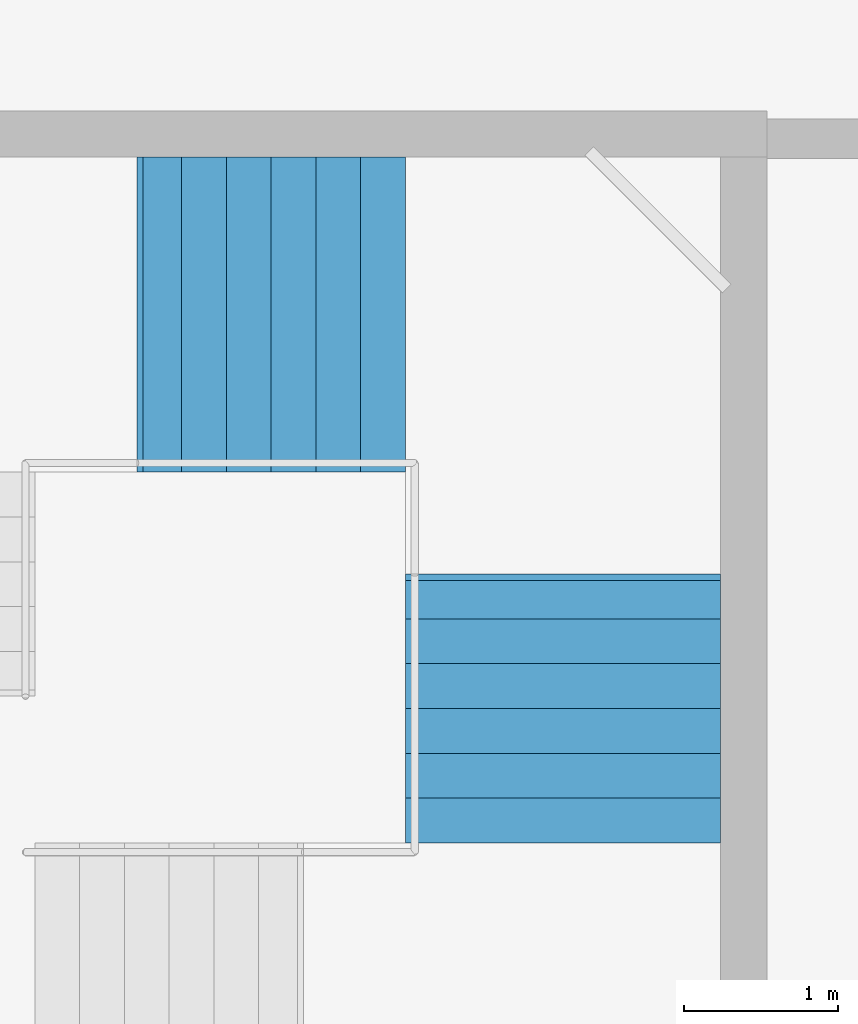
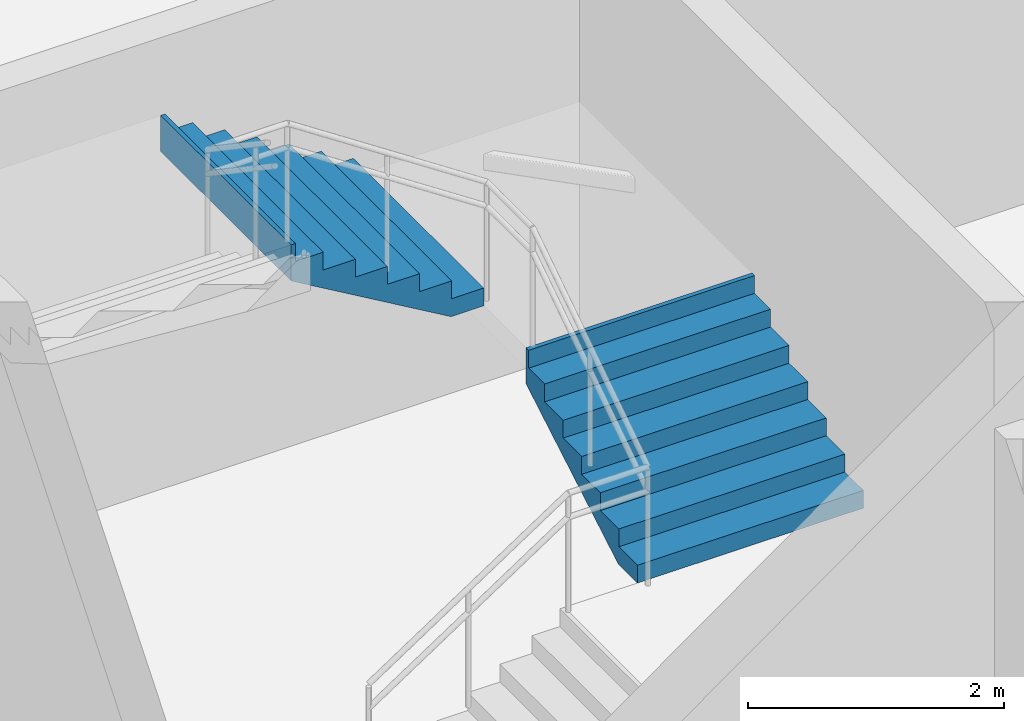
# One storey, part 28 of 30: 2 stair flights, 1 element without a shape of its own.
"""IFC4 building model written with IfcOpenShell, lengths in metres."""

from ifc_helpers import new_model, si_unit, direction, frame, origin, place, context, subcontext, project, spatial, triangles, material, type_object, element, aggregate, save


model = new_model("IFC4")

# Units and contexts
model_context = context("Model", 3, precision=1e-05, world=origin(), true_north=direction((0.0, 1.0)))
body_context = subcontext(model_context, "Body", "Model", "MODEL_VIEW")
ifc_project = project(units=[si_unit("LENGTHUNIT", "METRE"), si_unit("AREAUNIT", "SQUARE_METRE"), si_unit("VOLUMEUNIT", "CUBIC_METRE"), si_unit("PLANEANGLEUNIT", "RADIAN"), si_unit("MASSUNIT", "GRAM", prefix="KILO")], contexts=[model_context])

# Site, building, storey
site_placement = place(None, origin())
site = spatial("IfcSite", under=ifc_project, at=site_placement, CompositionType="ELEMENT")
building_placement = place(site_placement, origin())
building = spatial("IfcBuilding", under=site, at=building_placement, Name="Sillaruma Civic Art Gallery", CompositionType="ELEMENT")
storey_placement = place(building_placement, frame((0.0, 0.0, -9.179931640625)))
storey = spatial("IfcBuildingStorey", under=building, at=storey_placement, Name="B02", CompositionType="ELEMENT", Elevation=-9.179931640625)

# Stair, stair flights
ifc_material = material(Name="Concrete H35 (35 MPa)", Category="concrete")
stair_type = type_object("IfcStairType", Name="STR-4F-27", PredefinedType="USERDEFINED", material=ifc_material)
stair_placement = place(storey_placement, origin())
stair = element("IfcStair", 1, at=stair_placement, inside=storey, type_object=stair_type, Name="Protected Exit Stair ST-05 (East Wing) (B02)", ObjectType="THREE_RETURN_STAIR", PredefinedType="USERDEFINED")
stair_flight_type = type_object("IfcStairFlightType", Name="SFL-STR-7", PredefinedType="STRAIGHT", material=ifc_material)
stair_flight_1_placement = place(storey_placement, frame((147.6201171875, 13.43994140625, 1.18994140625), z_axis=(0.0, 0.0, 1.0), x_axis=(0.0, 1.0, 0.0)))
stair_flight_1 = element("IfcStairFlight", 2, at=stair_flight_1_placement, type_object=stair_flight_type, Name="ST-05 flight 2", NumberOfRisers=7, NumberOfTreads=6, PredefinedType="STRAIGHT", RiserHeight=0.17, TreadLength=0.29, context=body_context, shape_type="Tessellation", body=[
    triangles([(0.0, -1.02001953125, 0.0), (0.29, -1.02001953125, 0.0), (0.296404, -1.02001953125, 0.0), (0.58, -1.02001953125, 0.166246), (0.87, -1.02001953125, 0.336246), (1.16, -1.02001953125, 0.506246), (1.45, -1.02001953125, 0.676246), (1.69999, -1.02001953125, 0.822792), (1.73999, -1.02001953125, 0.84624), (1.73999, -1.02001953125, 1.19), (1.69999, -1.02001953125, 1.19), (1.69999, -1.02001953125, 1.02), (1.45, -1.02001953125, 1.02), (1.45, -1.02001953125, 0.85), (1.16, -1.02001953125, 0.85), (1.16, -1.02001953125, 0.68), (0.87, -1.02001953125, 0.68), (0.87, -1.02001953125, 0.51), (0.58, -1.02001953125, 0.51), (0.58, -1.02001953125, 0.34), (0.296404, -1.02001953125, 0.34), (0.29, -1.02001953125, 0.34), (0.29, -1.02001953125, 0.17), (0.0, -1.02001953125, 0.17), (0.0, -0.05, 0.0), (0.29, -0.05, 0.0), (0.296404, -0.05, 0.0), (0.58, -0.05, 0.166246), (0.87, -0.05, 0.336246), (1.16, -0.05, 0.506246), (1.45, -0.05, 0.676246), (1.69999, -0.05, 0.822792), (1.73999, -0.05, 0.84624), (1.73999, -0.05, 1.19), (1.69999, -0.05, 1.19), (1.69999, -0.05, 1.02), (1.45, -0.05, 1.02), (1.45, -0.05, 0.85), (1.16, -0.05, 0.85), (1.16, -0.05, 0.68), (0.87, -0.05, 0.68), (0.87, -0.05, 0.51), (0.58, -0.05, 0.51), (0.58, -0.05, 0.34), (0.296404, -0.05, 0.34), (0.29, -0.05, 0.34), (0.29, -0.05, 0.17), (0.0, -0.05, 0.17), (0.0, -0.0375, 0.0), (0.29, -0.0375, 0.0), (0.296404, -0.0375, 0.0), (0.58, -0.0375, 0.166246), (0.87, -0.0375, 0.336246), (1.16, -0.0375, 0.506246), (1.45, -0.0375, 0.676246), (1.69999, -0.0375, 0.822792), (1.73999, -0.0375, 0.84624), (1.73999, -0.0375, 1.19), (1.69999, -0.0375, 1.19), (1.69999, -0.0375, 1.02), (1.45, -0.0375, 1.02), (1.45, -0.0375, 0.85), (1.16, -0.0375, 0.85), (1.16, -0.0375, 0.68), (0.87, -0.0375, 0.68), (0.87, -0.0375, 0.51), (0.58, -0.0375, 0.51), (0.58, -0.0375, 0.34), (0.296404, -0.0375, 0.34), (0.29, -0.0375, 0.34), (0.29, -0.0375, 0.17), (0.0, -0.0375, 0.17), (0.0, -0.025, 0.0), (0.29, -0.025, 0.0), (0.296404, -0.025, 0.0), (0.58, -0.025, 0.166246), (0.87, -0.025, 0.336246), (1.16, -0.025, 0.506246), (1.45, -0.025, 0.676246), (1.69999, -0.025, 0.822792), (1.73999, -0.025, 0.84624), (1.73999, -0.025, 1.19), (1.69999, -0.025, 1.19), (1.69999, -0.025, 1.02), (1.45, -0.025, 1.02), (1.45, -0.025, 0.85), (1.16, -0.025, 0.85), (1.16, -0.025, 0.68), (0.87, -0.025, 0.68), (0.87, -0.025, 0.51), (0.58, -0.025, 0.51), (0.58, -0.025, 0.34), (0.296404, -0.025, 0.34), (0.29, -0.025, 0.34), (0.29, -0.025, 0.17), (0.0, -0.025, 0.17), (0.0, -0.0125, 0.0), (0.29, -0.0125, 0.0), (0.296404, -0.0125, 0.0), (0.58, -0.0125, 0.166246), (0.87, -0.0125, 0.336246), (1.16, -0.0125, 0.506246), (1.45, -0.0125, 0.676246), (1.69999, -0.0125, 0.822792), (1.73999, -0.0125, 0.84624), (1.73999, -0.0125, 1.19), (1.69999, -0.0125, 1.19), (1.69999, -0.0125, 1.02), (1.45, -0.0125, 1.02), (1.45, -0.0125, 0.85), (1.16, -0.0125, 0.85), (1.16, -0.0125, 0.68), (0.87, -0.0125, 0.68), (0.87, -0.0125, 0.51), (0.58, -0.0125, 0.51), (0.58, -0.0125, 0.34), (0.296404, -0.0125, 0.34), (0.29, -0.0125, 0.34), (0.29, -0.0125, 0.17), (0.0, -0.0125, 0.17), (0.0, 0.0, 0.0), (0.29, 0.0, 0.0), (0.296404, 0.0, 0.0), (0.58, 0.0, 0.166246), (0.87, 0.0, 0.336246), (1.16, 0.0, 0.506246), (1.45, 0.0, 0.676246), (1.69999, 0.0, 0.822792), (1.73999, 0.0, 0.84624), (1.73999, 0.0, 1.19), (1.69999, 0.0, 1.19), (1.69999, 0.0, 1.02), (1.45, 0.0, 1.02), (1.45, 0.0, 0.85), (1.16, 0.0, 0.85), (1.16, 0.0, 0.68), (0.87, 0.0, 0.68), (0.87, 0.0, 0.51), (0.58, 0.0, 0.51), (0.58, 0.0, 0.34), (0.296404, 0.0, 0.34), (0.29, 0.0, 0.34), (0.29, 0.0, 0.17), (0.0, 0.0, 0.17), (0.0, 0.0125, 0.0), (0.29, 0.0125, 0.0), (0.296404, 0.0125, 0.0), (0.58, 0.0125, 0.166246), (0.87, 0.0125, 0.336246), (1.16, 0.0125, 0.506246), (1.45, 0.0125, 0.676246), (1.69999, 0.0125, 0.822792), (1.73999, 0.0125, 0.84624), (1.73999, 0.0125, 1.19), (1.69999, 0.0125, 1.19), (1.69999, 0.0125, 1.02), (1.45, 0.0125, 1.02), (1.45, 0.0125, 0.85), (1.16, 0.0125, 0.85), (1.16, 0.0125, 0.68), (0.87, 0.0125, 0.68), (0.87, 0.0125, 0.51), (0.58, 0.0125, 0.51), (0.58, 0.0125, 0.34), (0.296404, 0.0125, 0.34), (0.29, 0.0125, 0.34), (0.29, 0.0125, 0.17), (0.0, 0.0125, 0.17), (0.0, 0.025, 0.0), (0.29, 0.025, 0.0), (0.296404, 0.025, 0.0), (0.58, 0.025, 0.166246), (0.87, 0.025, 0.336246), (1.16, 0.025, 0.506246), (1.45, 0.025, 0.676246), (1.69999, 0.025, 0.822792), (1.73999, 0.025, 0.84624), (1.73999, 0.025, 1.19), (1.69999, 0.025, 1.19), (1.69999, 0.025, 1.02), (1.45, 0.025, 1.02), (1.45, 0.025, 0.85), (1.16, 0.025, 0.85), (1.16, 0.025, 0.68), (0.87, 0.025, 0.68), (0.87, 0.025, 0.51), (0.58, 0.025, 0.51), (0.58, 0.025, 0.34), (0.296404, 0.025, 0.34), (0.29, 0.025, 0.34), (0.29, 0.025, 0.17), (0.0, 0.025, 0.17), (0.0, 0.0375, 0.0), (0.29, 0.0375, 0.0), (0.296404, 0.0375, 0.0), (0.58, 0.0375, 0.166246), (0.87, 0.0375, 0.336246), (1.16, 0.0375, 0.506246), (1.45, 0.0375, 0.676246), (1.69999, 0.0375, 0.822792), (1.73999, 0.0375, 0.84624), (1.73999, 0.0375, 1.19), (1.69999, 0.0375, 1.19), (1.69999, 0.0375, 1.02), (1.45, 0.0375, 1.02), (1.45, 0.0375, 0.85), (1.16, 0.0375, 0.85), (1.16, 0.0375, 0.68), (0.87, 0.0375, 0.68), (0.87, 0.0375, 0.51), (0.58, 0.0375, 0.51), (0.58, 0.0375, 0.34), (0.296404, 0.0375, 0.34), (0.29, 0.0375, 0.34), (0.29, 0.0375, 0.17), (0.0, 0.0375, 0.17), (0.0, 0.05, 0.0), (0.29, 0.05, 0.0), (0.296404, 0.05, 0.0), (0.58, 0.05, 0.166246), (0.87, 0.05, 0.336246), (1.16, 0.05, 0.506246), (1.45, 0.05, 0.676246), (1.69999, 0.05, 0.822792), (1.73999, 0.05, 0.84624), (1.73999, 0.05, 1.19), (1.69999, 0.05, 1.19), (1.69999, 0.05, 1.02), (1.45, 0.05, 1.02), (1.45, 0.05, 0.85), (1.16, 0.05, 0.85), (1.16, 0.05, 0.68), (0.87, 0.05, 0.68), (0.87, 0.05, 0.51), (0.58, 0.05, 0.51), (0.58, 0.05, 0.34), (0.296404, 0.05, 0.34), (0.29, 0.05, 0.34), (0.29, 0.05, 0.17), (0.0, 0.05, 0.17), (0.0, 1.02001953125, 0.0), (0.29, 1.02001953125, 0.0), (0.296404, 1.02001953125, 0.0), (0.58, 1.02001953125, 0.166246), (0.87, 1.02001953125, 0.336246), (1.16, 1.02001953125, 0.506246), (1.45, 1.02001953125, 0.676246), (1.69999, 1.02001953125, 0.822792), (1.73999, 1.02001953125, 0.84624), (1.73999, 1.02001953125, 1.19), (1.69999, 1.02001953125, 1.19), (1.69999, 1.02001953125, 1.02), (1.45, 1.02001953125, 1.02), (1.45, 1.02001953125, 0.85), (1.16, 1.02001953125, 0.85), (1.16, 1.02001953125, 0.68), (0.87, 1.02001953125, 0.68), (0.87, 1.02001953125, 0.51), (0.58, 1.02001953125, 0.51), (0.58, 1.02001953125, 0.34), (0.296404, 1.02001953125, 0.34), (0.29, 1.02001953125, 0.34), (0.29, 1.02001953125, 0.17), (0.0, 1.02001953125, 0.17)], [[1, 2, 23], [1, 23, 24], [2, 3, 21], [2, 21, 23], [23, 21, 22], [3, 4, 20], [3, 20, 21], [4, 5, 18], [4, 18, 20], [20, 18, 19], [5, 6, 16], [5, 16, 18], [18, 16, 17], [6, 7, 14], [6, 14, 16], [16, 14, 15], [7, 8, 12], [7, 12, 14], [14, 12, 13], [8, 9, 10], [8, 10, 12], [12, 10, 11], [263, 242, 241], [264, 263, 241], [261, 243, 242], [263, 261, 242], [262, 261, 263], [260, 244, 243], [261, 260, 243], [258, 245, 244], [260, 258, 244], [259, 258, 260], [256, 246, 245], [258, 256, 245], [257, 256, 258], [254, 247, 246], [256, 254, 246], [255, 254, 256], [252, 248, 247], [254, 252, 247], [253, 252, 254], [250, 249, 248], [252, 250, 248], [251, 250, 252], [2, 1, 25], [2, 25, 26], [3, 2, 26], [3, 26, 27], [4, 3, 27], [4, 27, 28], [5, 4, 28], [5, 28, 29], [6, 5, 29], [6, 29, 30], [7, 6, 30], [7, 30, 31], [8, 7, 31], [8, 31, 32], [9, 8, 32], [9, 32, 33], [10, 9, 33], [10, 33, 34], [11, 10, 34], [11, 34, 35], [12, 11, 35], [12, 35, 36], [13, 12, 36], [13, 36, 37], [14, 13, 37], [14, 37, 38], [15, 14, 38], [15, 38, 39], [16, 15, 39], [16, 39, 40], [17, 16, 40], [17, 40, 41], [18, 17, 41], [18, 41, 42], [19, 18, 42], [19, 42, 43], [20, 19, 43], [20, 43, 44], [21, 20, 44], [21, 44, 45], [22, 21, 45], [22, 45, 46], [23, 22, 46], [23, 46, 47], [24, 23, 47], [24, 47, 48], [1, 24, 48], [1, 48, 25], [26, 25, 49], [26, 49, 50], [27, 26, 50], [27, 50, 51], [28, 27, 51], [28, 51, 52], [29, 28, 52], [29, 52, 53], [30, 29, 53], [30, 53, 54], [31, 30, 54], [31, 54, 55], [32, 31, 55], [32, 55, 56], [33, 32, 56], [33, 56, 57], [34, 33, 57], [34, 57, 58], [35, 34, 58], [35, 58, 59], [36, 35, 59], [36, 59, 60], [37, 36, 60], [37, 60, 61], [38, 37, 61], [38, 61, 62], [39, 38, 62], [39, 62, 63], [40, 39, 63], [40, 63, 64], [41, 40, 64], [41, 64, 65], [42, 41, 65], [42, 65, 66], [43, 42, 66], [43, 66, 67], [44, 43, 67], [44, 67, 68], [45, 44, 68], [45, 68, 69], [46, 45, 69], [46, 69, 70], [47, 46, 70], [47, 70, 71], [48, 47, 71], [48, 71, 72], [25, 48, 72], [25, 72, 49], [50, 49, 73], [50, 73, 74], [51, 50, 74], [51, 74, 75], [52, 51, 75], [52, 75, 76], [53, 52, 76], [53, 76, 77], [54, 53, 77], [54, 77, 78], [55, 54, 78], [55, 78, 79], [56, 55, 79], [56, 79, 80], [57, 56, 80], [57, 80, 81], [58, 57, 81], [58, 81, 82], [59, 58, 82], [59, 82, 83], [60, 59, 83], [60, 83, 84], [61, 60, 84], [61, 84, 85], [62, 61, 85], [62, 85, 86], [63, 62, 86], [63, 86, 87], [64, 63, 87], [64, 87, 88], [65, 64, 88], [65, 88, 89], [66, 65, 89], [66, 89, 90], [67, 66, 90], [67, 90, 91], [68, 67, 91], [68, 91, 92], [69, 68, 92], [69, 92, 93], [70, 69, 93], [70, 93, 94], [71, 70, 94], [71, 94, 95], [72, 71, 95], [72, 95, 96], [49, 72, 96], [49, 96, 73], [74, 73, 97], [74, 97, 98], [75, 74, 98], [75, 98, 99], [76, 75, 99], [76, 99, 100], [77, 76, 100], [77, 100, 101], [78, 77, 101], [78, 101, 102], [79, 78, 102], [79, 102, 103], [80, 79, 103], [80, 103, 104], [81, 80, 104], [81, 104, 105], [82, 81, 105], [82, 105, 106], [83, 82, 106], [83, 106, 107], [84, 83, 107], [84, 107, 108], [85, 84, 108], [85, 108, 109], [86, 85, 109], [86, 109, 110], [87, 86, 110], [87, 110, 111], [88, 87, 111], [88, 111, 112], [89, 88, 112], [89, 112, 113], [90, 89, 113], [90, 113, 114], [91, 90, 114], [91, 114, 115], [92, 91, 115], [92, 115, 116], [93, 92, 116], [93, 116, 117], [94, 93, 117], [94, 117, 118], [95, 94, 118], [95, 118, 119], [96, 95, 119], [96, 119, 120], [73, 96, 120], [73, 120, 97], [98, 97, 121], [98, 121, 122], [99, 98, 122], [99, 122, 123], [100, 99, 123], [100, 123, 124], [101, 100, 124], [101, 124, 125], [102, 101, 125], [102, 125, 126], [103, 102, 126], [103, 126, 127], [104, 103, 127], [104, 127, 128], [105, 104, 128], [105, 128, 129], [106, 105, 129], [106, 129, 130], [107, 106, 130], [107, 130, 131], [108, 107, 131], [108, 131, 132], [109, 108, 132], [109, 132, 133], [110, 109, 133], [110, 133, 134], [111, 110, 134], [111, 134, 135], [112, 111, 135], [112, 135, 136], [113, 112, 136], [113, 136, 137], [114, 113, 137], [114, 137, 138], [115, 114, 138], [115, 138, 139], [116, 115, 139], [116, 139, 140], [117, 116, 140], [117, 140, 141], [118, 117, 141], [118, 141, 142], [119, 118, 142], [119, 142, 143], [120, 119, 143], [120, 143, 144], [97, 120, 144], [97, 144, 121], [122, 121, 145], [122, 145, 146], [123, 122, 146], [123, 146, 147], [124, 123, 147], [124, 147, 148], [125, 124, 148], [125, 148, 149], [126, 125, 149], [126, 149, 150], [127, 126, 150], [127, 150, 151], [128, 127, 151], [128, 151, 152], [129, 128, 152], [129, 152, 153], [130, 129, 153], [130, 153, 154], [131, 130, 154], [131, 154, 155], [132, 131, 155], [132, 155, 156], [133, 132, 156], [133, 156, 157], [134, 133, 157], [134, 157, 158], [135, 134, 158], [135, 158, 159], [136, 135, 159], [136, 159, 160], [137, 136, 160], [137, 160, 161], [138, 137, 161], [138, 161, 162], [139, 138, 162], [139, 162, 163], [140, 139, 163], [140, 163, 164], [141, 140, 164], [141, 164, 165], [142, 141, 165], [142, 165, 166], [143, 142, 166], [143, 166, 167], [144, 143, 167], [144, 167, 168], [121, 144, 168], [121, 168, 145], [146, 145, 169], [146, 169, 170], [147, 146, 170], [147, 170, 171], [148, 147, 171], [148, 171, 172], [149, 148, 172], [149, 172, 173], [150, 149, 173], [150, 173, 174], [151, 150, 174], [151, 174, 175], [152, 151, 175], [152, 175, 176], [153, 152, 176], [153, 176, 177], [154, 153, 177], [154, 177, 178], [155, 154, 178], [155, 178, 179], [156, 155, 179], [156, 179, 180], [157, 156, 180], [157, 180, 181], [158, 157, 181], [158, 181, 182], [159, 158, 182], [159, 182, 183], [160, 159, 183], [160, 183, 184], [161, 160, 184], [161, 184, 185], [162, 161, 185], [162, 185, 186], [163, 162, 186], [163, 186, 187], [164, 163, 187], [164, 187, 188], [165, 164, 188], [165, 188, 189], [166, 165, 189], [166, 189, 190], [167, 166, 190], [167, 190, 191], [168, 167, 191], [168, 191, 192], [145, 168, 192], [145, 192, 169], [170, 169, 193], [170, 193, 194], [171, 170, 194], [171, 194, 195], [172, 171, 195], [172, 195, 196], [173, 172, 196], [173, 196, 197], [174, 173, 197], [174, 197, 198], [175, 174, 198], [175, 198, 199], [176, 175, 199], [176, 199, 200], [177, 176, 200], [177, 200, 201], [178, 177, 201], [178, 201, 202], [179, 178, 202], [179, 202, 203], [180, 179, 203], [180, 203, 204], [181, 180, 204], [181, 204, 205], [182, 181, 205], [182, 205, 206], [183, 182, 206], [183, 206, 207], [184, 183, 207], [184, 207, 208], [185, 184, 208], [185, 208, 209], [186, 185, 209], [186, 209, 210], [187, 186, 210], [187, 210, 211], [188, 187, 211], [188, 211, 212], [189, 188, 212], [189, 212, 213], [190, 189, 213], [190, 213, 214], [191, 190, 214], [191, 214, 215], [192, 191, 215], [192, 215, 216], [169, 192, 216], [169, 216, 193], [194, 193, 217], [194, 217, 218], [195, 194, 218], [195, 218, 219], [196, 195, 219], [196, 219, 220], [197, 196, 220], [197, 220, 221], [198, 197, 221], [198, 221, 222], [199, 198, 222], [199, 222, 223], [200, 199, 223], [200, 223, 224], [201, 200, 224], [201, 224, 225], [202, 201, 225], [202, 225, 226], [203, 202, 226], [203, 226, 227], [204, 203, 227], [204, 227, 228], [205, 204, 228], [205, 228, 229], [206, 205, 229], [206, 229, 230], [207, 206, 230], [207, 230, 231], [208, 207, 231], [208, 231, 232], [209, 208, 232], [209, 232, 233], [210, 209, 233], [210, 233, 234], [211, 210, 234], [211, 234, 235], [212, 211, 235], [212, 235, 236], [213, 212, 236], [213, 236, 237], [214, 213, 237], [214, 237, 238], [215, 214, 238], [215, 238, 239], [216, 215, 239], [216, 239, 240], [193, 216, 240], [193, 240, 217], [218, 217, 241], [218, 241, 242], [219, 218, 242], [219, 242, 243], [220, 219, 243], [220, 243, 244], [221, 220, 244], [221, 244, 245], [222, 221, 245], [222, 245, 246], [223, 222, 246], [223, 246, 247], [224, 223, 247], [224, 247, 248], [225, 224, 248], [225, 248, 249], [226, 225, 249], [226, 249, 250], [227, 226, 250], [227, 250, 251], [228, 227, 251], [228, 251, 252], [229, 228, 252], [229, 252, 253], [230, 229, 253], [230, 253, 254], [231, 230, 254], [231, 254, 255], [232, 231, 255], [232, 255, 256], [233, 232, 256], [233, 256, 257], [234, 233, 257], [234, 257, 258], [235, 234, 258], [235, 258, 259], [236, 235, 259], [236, 259, 260], [237, 236, 260], [237, 260, 261], [238, 237, 261], [238, 261, 262], [239, 238, 262], [239, 262, 263], [240, 239, 263], [240, 263, 264], [217, 240, 264], [217, 264, 241]], closed=True),
])
stair_flight_2_placement = place(storey_placement, frame((146.60009765625, 16.860107421875, 2.3798828125), z_axis=(0.0, 0.0, 1.0), x_axis=(-1.0, 0.0, 0.0)))
stair_flight_2 = element("IfcStairFlight", 3, at=stair_flight_2_placement, type_object=stair_flight_type, Name="ST-05 flight 3", NumberOfRisers=7, NumberOfTreads=6, PredefinedType="STRAIGHT", RiserHeight=0.17, TreadLength=0.29, context=body_context, shape_type="Tessellation", body=[
    triangles([(0.0, -1.02001953125, 0.0), (0.29, -1.02001953125, 0.0), (0.296404, -1.02001953125, 0.0), (0.58, -1.02001953125, 0.166246), (0.87, -1.02001953125, 0.336246), (1.16, -1.02001953125, 0.506246), (1.45, -1.02001953125, 0.676246), (1.69999, -1.02001953125, 0.822792), (1.73999, -1.02001953125, 0.84624), (1.73999, -1.02001953125, 1.19), (1.69999, -1.02001953125, 1.19), (1.69999, -1.02001953125, 1.02), (1.45, -1.02001953125, 1.02), (1.45, -1.02001953125, 0.85), (1.16, -1.02001953125, 0.85), (1.16, -1.02001953125, 0.68), (0.87, -1.02001953125, 0.68), (0.87, -1.02001953125, 0.51), (0.58, -1.02001953125, 0.51), (0.58, -1.02001953125, 0.34), (0.296404, -1.02001953125, 0.34), (0.29, -1.02001953125, 0.34), (0.29, -1.02001953125, 0.17), (0.0, -1.02001953125, 0.17), (0.0, -0.05, 0.0), (0.29, -0.05, 0.0), (0.296404, -0.05, 0.0), (0.58, -0.05, 0.166246), (0.87, -0.05, 0.336246), (1.16, -0.05, 0.506246), (1.45, -0.05, 0.676246), (1.69999, -0.05, 0.822792), (1.73999, -0.05, 0.84624), (1.73999, -0.05, 1.19), (1.69999, -0.05, 1.19), (1.69999, -0.05, 1.02), (1.45, -0.05, 1.02), (1.45, -0.05, 0.85), (1.16, -0.05, 0.85), (1.16, -0.05, 0.68), (0.87, -0.05, 0.68), (0.87, -0.05, 0.51), (0.58, -0.05, 0.51), (0.58, -0.05, 0.34), (0.296404, -0.05, 0.34), (0.29, -0.05, 0.34), (0.29, -0.05, 0.17), (0.0, -0.05, 0.17), (0.0, -0.0375, 0.0), (0.29, -0.0375, 0.0), (0.296404, -0.0375, 0.0), (0.58, -0.0375, 0.166246), (0.87, -0.0375, 0.336246), (1.16, -0.0375, 0.506246), (1.45, -0.0375, 0.676246), (1.69999, -0.0375, 0.822792), (1.73999, -0.0375, 0.84624), (1.73999, -0.0375, 1.19), (1.69999, -0.0375, 1.19), (1.69999, -0.0375, 1.02), (1.45, -0.0375, 1.02), (1.45, -0.0375, 0.85), (1.16, -0.0375, 0.85), (1.16, -0.0375, 0.68), (0.87, -0.0375, 0.68), (0.87, -0.0375, 0.51), (0.58, -0.0375, 0.51), (0.58, -0.0375, 0.34), (0.296404, -0.0375, 0.34), (0.29, -0.0375, 0.34), (0.29, -0.0375, 0.17), (0.0, -0.0375, 0.17), (0.0, -0.025, 0.0), (0.29, -0.025, 0.0), (0.296404, -0.025, 0.0), (0.58, -0.025, 0.166246), (0.87, -0.025, 0.336246), (1.16, -0.025, 0.506246), (1.45, -0.025, 0.676246), (1.69999, -0.025, 0.822792), (1.73999, -0.025, 0.84624), (1.73999, -0.025, 1.19), (1.69999, -0.025, 1.19), (1.69999, -0.025, 1.02), (1.45, -0.025, 1.02), (1.45, -0.025, 0.85), (1.16, -0.025, 0.85), (1.16, -0.025, 0.68), (0.87, -0.025, 0.68), (0.87, -0.025, 0.51), (0.58, -0.025, 0.51), (0.58, -0.025, 0.34), (0.296404, -0.025, 0.34), (0.29, -0.025, 0.34), (0.29, -0.025, 0.17), (0.0, -0.025, 0.17), (0.0, -0.0125, 0.0), (0.29, -0.0125, 0.0), (0.296404, -0.0125, 0.0), (0.58, -0.0125, 0.166246), (0.87, -0.0125, 0.336246), (1.16, -0.0125, 0.506246), (1.45, -0.0125, 0.676246), (1.69999, -0.0125, 0.822792), (1.73999, -0.0125, 0.84624), (1.73999, -0.0125, 1.19), (1.69999, -0.0125, 1.19), (1.69999, -0.0125, 1.02), (1.45, -0.0125, 1.02), (1.45, -0.0125, 0.85), (1.16, -0.0125, 0.85), (1.16, -0.0125, 0.68), (0.87, -0.0125, 0.68), (0.87, -0.0125, 0.51), (0.58, -0.0125, 0.51), (0.58, -0.0125, 0.34), (0.296404, -0.0125, 0.34), (0.29, -0.0125, 0.34), (0.29, -0.0125, 0.17), (0.0, -0.0125, 0.17), (0.0, 0.0, 0.0), (0.29, 0.0, 0.0), (0.296404, 0.0, 0.0), (0.58, 0.0, 0.166246), (0.87, 0.0, 0.336246), (1.16, 0.0, 0.506246), (1.45, 0.0, 0.676246), (1.69999, 0.0, 0.822792), (1.73999, 0.0, 0.84624), (1.73999, 0.0, 1.19), (1.69999, 0.0, 1.19), (1.69999, 0.0, 1.02), (1.45, 0.0, 1.02), (1.45, 0.0, 0.85), (1.16, 0.0, 0.85), (1.16, 0.0, 0.68), (0.87, 0.0, 0.68), (0.87, 0.0, 0.51), (0.58, 0.0, 0.51), (0.58, 0.0, 0.34), (0.296404, 0.0, 0.34), (0.29, 0.0, 0.34), (0.29, 0.0, 0.17), (0.0, 0.0, 0.17), (0.0, 0.0125, 0.0), (0.29, 0.0125, 0.0), (0.296404, 0.0125, 0.0), (0.58, 0.0125, 0.166246), (0.87, 0.0125, 0.336246), (1.16, 0.0125, 0.506246), (1.45, 0.0125, 0.676246), (1.69999, 0.0125, 0.822792), (1.73999, 0.0125, 0.84624), (1.73999, 0.0125, 1.19), (1.69999, 0.0125, 1.19), (1.69999, 0.0125, 1.02), (1.45, 0.0125, 1.02), (1.45, 0.0125, 0.85), (1.16, 0.0125, 0.85), (1.16, 0.0125, 0.68), (0.87, 0.0125, 0.68), (0.87, 0.0125, 0.51), (0.58, 0.0125, 0.51), (0.58, 0.0125, 0.34), (0.296404, 0.0125, 0.34), (0.29, 0.0125, 0.34), (0.29, 0.0125, 0.17), (0.0, 0.0125, 0.17), (0.0, 0.025, 0.0), (0.29, 0.025, 0.0), (0.296404, 0.025, 0.0), (0.58, 0.025, 0.166246), (0.87, 0.025, 0.336246), (1.16, 0.025, 0.506246), (1.45, 0.025, 0.676246), (1.69999, 0.025, 0.822792), (1.73999, 0.025, 0.84624), (1.73999, 0.025, 1.19), (1.69999, 0.025, 1.19), (1.69999, 0.025, 1.02), (1.45, 0.025, 1.02), (1.45, 0.025, 0.85), (1.16, 0.025, 0.85), (1.16, 0.025, 0.68), (0.87, 0.025, 0.68), (0.87, 0.025, 0.51), (0.58, 0.025, 0.51), (0.58, 0.025, 0.34), (0.296404, 0.025, 0.34), (0.29, 0.025, 0.34), (0.29, 0.025, 0.17), (0.0, 0.025, 0.17), (0.0, 0.0375, 0.0), (0.29, 0.0375, 0.0), (0.296404, 0.0375, 0.0), (0.58, 0.0375, 0.166246), (0.87, 0.0375, 0.336246), (1.16, 0.0375, 0.506246), (1.45, 0.0375, 0.676246), (1.69999, 0.0375, 0.822792), (1.73999, 0.0375, 0.84624), (1.73999, 0.0375, 1.19), (1.69999, 0.0375, 1.19), (1.69999, 0.0375, 1.02), (1.45, 0.0375, 1.02), (1.45, 0.0375, 0.85), (1.16, 0.0375, 0.85), (1.16, 0.0375, 0.68), (0.87, 0.0375, 0.68), (0.87, 0.0375, 0.51), (0.58, 0.0375, 0.51), (0.58, 0.0375, 0.34), (0.296404, 0.0375, 0.34), (0.29, 0.0375, 0.34), (0.29, 0.0375, 0.17), (0.0, 0.0375, 0.17), (0.0, 0.05, 0.0), (0.29, 0.05, 0.0), (0.296404, 0.05, 0.0), (0.58, 0.05, 0.166246), (0.87, 0.05, 0.336246), (1.16, 0.05, 0.506246), (1.45, 0.05, 0.676246), (1.69999, 0.05, 0.822792), (1.73999, 0.05, 0.84624), (1.73999, 0.05, 1.19), (1.69999, 0.05, 1.19), (1.69999, 0.05, 1.02), (1.45, 0.05, 1.02), (1.45, 0.05, 0.85), (1.16, 0.05, 0.85), (1.16, 0.05, 0.68), (0.87, 0.05, 0.68), (0.87, 0.05, 0.51), (0.58, 0.05, 0.51), (0.58, 0.05, 0.34), (0.296404, 0.05, 0.34), (0.29, 0.05, 0.34), (0.29, 0.05, 0.17), (0.0, 0.05, 0.17), (0.0, 1.02001953125, 0.0), (0.29, 1.02001953125, 0.0), (0.296404, 1.02001953125, 0.0), (0.58, 1.02001953125, 0.166246), (0.87, 1.02001953125, 0.336246), (1.16, 1.02001953125, 0.506246), (1.45, 1.02001953125, 0.676246), (1.69999, 1.02001953125, 0.822792), (1.73999, 1.02001953125, 0.84624), (1.73999, 1.02001953125, 1.19), (1.69999, 1.02001953125, 1.19), (1.69999, 1.02001953125, 1.02), (1.45, 1.02001953125, 1.02), (1.45, 1.02001953125, 0.85), (1.16, 1.02001953125, 0.85), (1.16, 1.02001953125, 0.68), (0.87, 1.02001953125, 0.68), (0.87, 1.02001953125, 0.51), (0.58, 1.02001953125, 0.51), (0.58, 1.02001953125, 0.34), (0.296404, 1.02001953125, 0.34), (0.29, 1.02001953125, 0.34), (0.29, 1.02001953125, 0.17), (0.0, 1.02001953125, 0.17)], [[1, 2, 23], [1, 23, 24], [2, 3, 21], [2, 21, 23], [23, 21, 22], [3, 4, 20], [3, 20, 21], [4, 5, 18], [4, 18, 20], [20, 18, 19], [5, 6, 16], [5, 16, 18], [18, 16, 17], [6, 7, 14], [6, 14, 16], [16, 14, 15], [7, 8, 12], [7, 12, 14], [14, 12, 13], [8, 9, 10], [8, 10, 12], [12, 10, 11], [263, 242, 241], [264, 263, 241], [261, 243, 242], [263, 261, 242], [262, 261, 263], [260, 244, 243], [261, 260, 243], [258, 245, 244], [260, 258, 244], [259, 258, 260], [256, 246, 245], [258, 256, 245], [257, 256, 258], [254, 247, 246], [256, 254, 246], [255, 254, 256], [252, 248, 247], [254, 252, 247], [253, 252, 254], [250, 249, 248], [252, 250, 248], [251, 250, 252], [2, 1, 25], [2, 25, 26], [3, 2, 26], [3, 26, 27], [4, 3, 27], [4, 27, 28], [5, 4, 28], [5, 28, 29], [6, 5, 29], [6, 29, 30], [7, 6, 30], [7, 30, 31], [8, 7, 31], [8, 31, 32], [9, 8, 32], [9, 32, 33], [10, 9, 33], [10, 33, 34], [11, 10, 34], [11, 34, 35], [12, 11, 35], [12, 35, 36], [13, 12, 36], [13, 36, 37], [14, 13, 37], [14, 37, 38], [15, 14, 38], [15, 38, 39], [16, 15, 39], [16, 39, 40], [17, 16, 40], [17, 40, 41], [18, 17, 41], [18, 41, 42], [19, 18, 42], [19, 42, 43], [20, 19, 43], [20, 43, 44], [21, 20, 44], [21, 44, 45], [22, 21, 45], [22, 45, 46], [23, 22, 46], [23, 46, 47], [24, 23, 47], [24, 47, 48], [1, 24, 48], [1, 48, 25], [26, 25, 49], [26, 49, 50], [27, 26, 50], [27, 50, 51], [28, 27, 51], [28, 51, 52], [29, 28, 52], [29, 52, 53], [30, 29, 53], [30, 53, 54], [31, 30, 54], [31, 54, 55], [32, 31, 55], [32, 55, 56], [33, 32, 56], [33, 56, 57], [34, 33, 57], [34, 57, 58], [35, 34, 58], [35, 58, 59], [36, 35, 59], [36, 59, 60], [37, 36, 60], [37, 60, 61], [38, 37, 61], [38, 61, 62], [39, 38, 62], [39, 62, 63], [40, 39, 63], [40, 63, 64], [41, 40, 64], [41, 64, 65], [42, 41, 65], [42, 65, 66], [43, 42, 66], [43, 66, 67], [44, 43, 67], [44, 67, 68], [45, 44, 68], [45, 68, 69], [46, 45, 69], [46, 69, 70], [47, 46, 70], [47, 70, 71], [48, 47, 71], [48, 71, 72], [25, 48, 72], [25, 72, 49], [50, 49, 73], [50, 73, 74], [51, 50, 74], [51, 74, 75], [52, 51, 75], [52, 75, 76], [53, 52, 76], [53, 76, 77], [54, 53, 77], [54, 77, 78], [55, 54, 78], [55, 78, 79], [56, 55, 79], [56, 79, 80], [57, 56, 80], [57, 80, 81], [58, 57, 81], [58, 81, 82], [59, 58, 82], [59, 82, 83], [60, 59, 83], [60, 83, 84], [61, 60, 84], [61, 84, 85], [62, 61, 85], [62, 85, 86], [63, 62, 86], [63, 86, 87], [64, 63, 87], [64, 87, 88], [65, 64, 88], [65, 88, 89], [66, 65, 89], [66, 89, 90], [67, 66, 90], [67, 90, 91], [68, 67, 91], [68, 91, 92], [69, 68, 92], [69, 92, 93], [70, 69, 93], [70, 93, 94], [71, 70, 94], [71, 94, 95], [72, 71, 95], [72, 95, 96], [49, 72, 96], [49, 96, 73], [74, 73, 97], [74, 97, 98], [75, 74, 98], [75, 98, 99], [76, 75, 99], [76, 99, 100], [77, 76, 100], [77, 100, 101], [78, 77, 101], [78, 101, 102], [79, 78, 102], [79, 102, 103], [80, 79, 103], [80, 103, 104], [81, 80, 104], [81, 104, 105], [82, 81, 105], [82, 105, 106], [83, 82, 106], [83, 106, 107], [84, 83, 107], [84, 107, 108], [85, 84, 108], [85, 108, 109], [86, 85, 109], [86, 109, 110], [87, 86, 110], [87, 110, 111], [88, 87, 111], [88, 111, 112], [89, 88, 112], [89, 112, 113], [90, 89, 113], [90, 113, 114], [91, 90, 114], [91, 114, 115], [92, 91, 115], [92, 115, 116], [93, 92, 116], [93, 116, 117], [94, 93, 117], [94, 117, 118], [95, 94, 118], [95, 118, 119], [96, 95, 119], [96, 119, 120], [73, 96, 120], [73, 120, 97], [98, 97, 121], [98, 121, 122], [99, 98, 122], [99, 122, 123], [100, 99, 123], [100, 123, 124], [101, 100, 124], [101, 124, 125], [102, 101, 125], [102, 125, 126], [103, 102, 126], [103, 126, 127], [104, 103, 127], [104, 127, 128], [105, 104, 128], [105, 128, 129], [106, 105, 129], [106, 129, 130], [107, 106, 130], [107, 130, 131], [108, 107, 131], [108, 131, 132], [109, 108, 132], [109, 132, 133], [110, 109, 133], [110, 133, 134], [111, 110, 134], [111, 134, 135], [112, 111, 135], [112, 135, 136], [113, 112, 136], [113, 136, 137], [114, 113, 137], [114, 137, 138], [115, 114, 138], [115, 138, 139], [116, 115, 139], [116, 139, 140], [117, 116, 140], [117, 140, 141], [118, 117, 141], [118, 141, 142], [119, 118, 142], [119, 142, 143], [120, 119, 143], [120, 143, 144], [97, 120, 144], [97, 144, 121], [122, 121, 145], [122, 145, 146], [123, 122, 146], [123, 146, 147], [124, 123, 147], [124, 147, 148], [125, 124, 148], [125, 148, 149], [126, 125, 149], [126, 149, 150], [127, 126, 150], [127, 150, 151], [128, 127, 151], [128, 151, 152], [129, 128, 152], [129, 152, 153], [130, 129, 153], [130, 153, 154], [131, 130, 154], [131, 154, 155], [132, 131, 155], [132, 155, 156], [133, 132, 156], [133, 156, 157], [134, 133, 157], [134, 157, 158], [135, 134, 158], [135, 158, 159], [136, 135, 159], [136, 159, 160], [137, 136, 160], [137, 160, 161], [138, 137, 161], [138, 161, 162], [139, 138, 162], [139, 162, 163], [140, 139, 163], [140, 163, 164], [141, 140, 164], [141, 164, 165], [142, 141, 165], [142, 165, 166], [143, 142, 166], [143, 166, 167], [144, 143, 167], [144, 167, 168], [121, 144, 168], [121, 168, 145], [146, 145, 169], [146, 169, 170], [147, 146, 170], [147, 170, 171], [148, 147, 171], [148, 171, 172], [149, 148, 172], [149, 172, 173], [150, 149, 173], [150, 173, 174], [151, 150, 174], [151, 174, 175], [152, 151, 175], [152, 175, 176], [153, 152, 176], [153, 176, 177], [154, 153, 177], [154, 177, 178], [155, 154, 178], [155, 178, 179], [156, 155, 179], [156, 179, 180], [157, 156, 180], [157, 180, 181], [158, 157, 181], [158, 181, 182], [159, 158, 182], [159, 182, 183], [160, 159, 183], [160, 183, 184], [161, 160, 184], [161, 184, 185], [162, 161, 185], [162, 185, 186], [163, 162, 186], [163, 186, 187], [164, 163, 187], [164, 187, 188], [165, 164, 188], [165, 188, 189], [166, 165, 189], [166, 189, 190], [167, 166, 190], [167, 190, 191], [168, 167, 191], [168, 191, 192], [145, 168, 192], [145, 192, 169], [170, 169, 193], [170, 193, 194], [171, 170, 194], [171, 194, 195], [172, 171, 195], [172, 195, 196], [173, 172, 196], [173, 196, 197], [174, 173, 197], [174, 197, 198], [175, 174, 198], [175, 198, 199], [176, 175, 199], [176, 199, 200], [177, 176, 200], [177, 200, 201], [178, 177, 201], [178, 201, 202], [179, 178, 202], [179, 202, 203], [180, 179, 203], [180, 203, 204], [181, 180, 204], [181, 204, 205], [182, 181, 205], [182, 205, 206], [183, 182, 206], [183, 206, 207], [184, 183, 207], [184, 207, 208], [185, 184, 208], [185, 208, 209], [186, 185, 209], [186, 209, 210], [187, 186, 210], [187, 210, 211], [188, 187, 211], [188, 211, 212], [189, 188, 212], [189, 212, 213], [190, 189, 213], [190, 213, 214], [191, 190, 214], [191, 214, 215], [192, 191, 215], [192, 215, 216], [169, 192, 216], [169, 216, 193], [194, 193, 217], [194, 217, 218], [195, 194, 218], [195, 218, 219], [196, 195, 219], [196, 219, 220], [197, 196, 220], [197, 220, 221], [198, 197, 221], [198, 221, 222], [199, 198, 222], [199, 222, 223], [200, 199, 223], [200, 223, 224], [201, 200, 224], [201, 224, 225], [202, 201, 225], [202, 225, 226], [203, 202, 226], [203, 226, 227], [204, 203, 227], [204, 227, 228], [205, 204, 228], [205, 228, 229], [206, 205, 229], [206, 229, 230], [207, 206, 230], [207, 230, 231], [208, 207, 231], [208, 231, 232], [209, 208, 232], [209, 232, 233], [210, 209, 233], [210, 233, 234], [211, 210, 234], [211, 234, 235], [212, 211, 235], [212, 235, 236], [213, 212, 236], [213, 236, 237], [214, 213, 237], [214, 237, 238], [215, 214, 238], [215, 238, 239], [216, 215, 239], [216, 239, 240], [193, 216, 240], [193, 240, 217], [218, 217, 241], [218, 241, 242], [219, 218, 242], [219, 242, 243], [220, 219, 243], [220, 243, 244], [221, 220, 244], [221, 244, 245], [222, 221, 245], [222, 245, 246], [223, 222, 246], [223, 246, 247], [224, 223, 247], [224, 247, 248], [225, 224, 248], [225, 248, 249], [226, 225, 249], [226, 249, 250], [227, 226, 250], [227, 250, 251], [228, 227, 251], [228, 251, 252], [229, 228, 252], [229, 252, 253], [230, 229, 253], [230, 253, 254], [231, 230, 254], [231, 254, 255], [232, 231, 255], [232, 255, 256], [233, 232, 256], [233, 256, 257], [234, 233, 257], [234, 257, 258], [235, 234, 258], [235, 258, 259], [236, 235, 259], [236, 259, 260], [237, 236, 260], [237, 260, 261], [238, 237, 261], [238, 261, 262], [239, 238, 262], [239, 262, 263], [240, 239, 263], [240, 263, 264], [217, 240, 264], [217, 264, 241]], closed=True),
])
aggregate(stair, [stair_flight_1, stair_flight_2])

save(model, "model.ifc")
